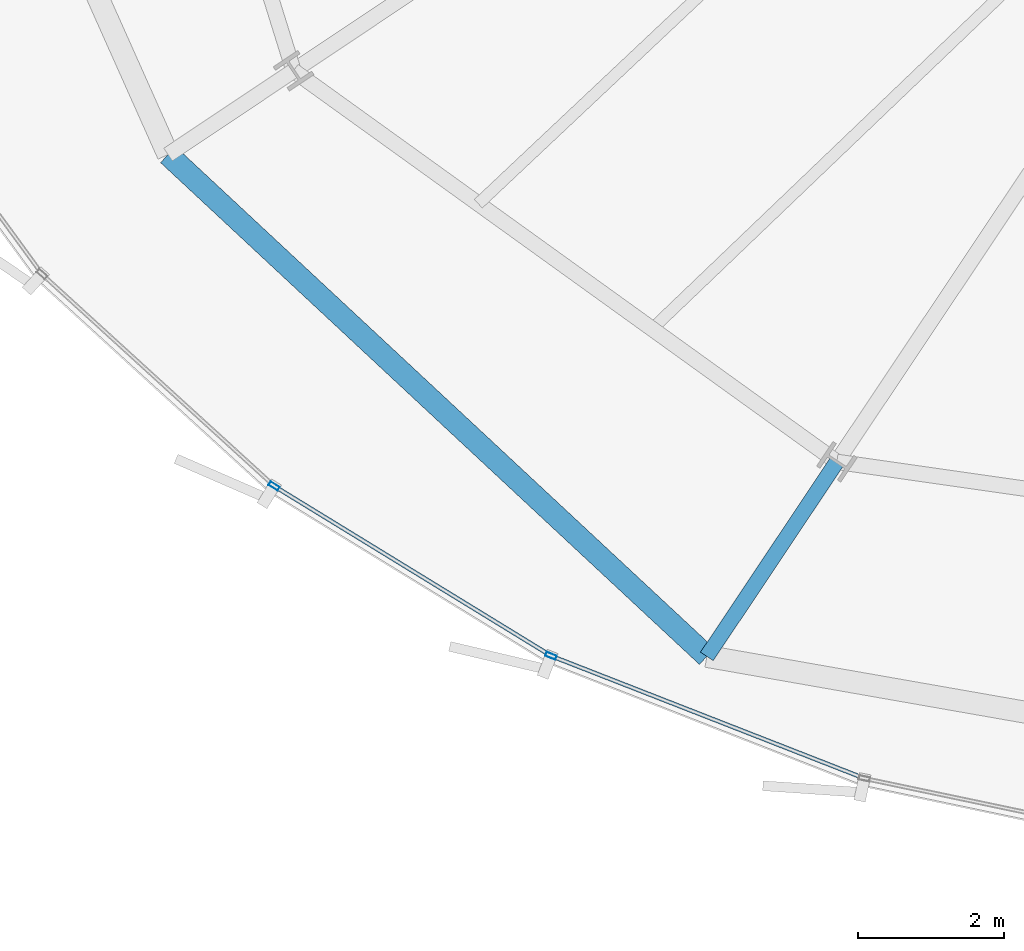
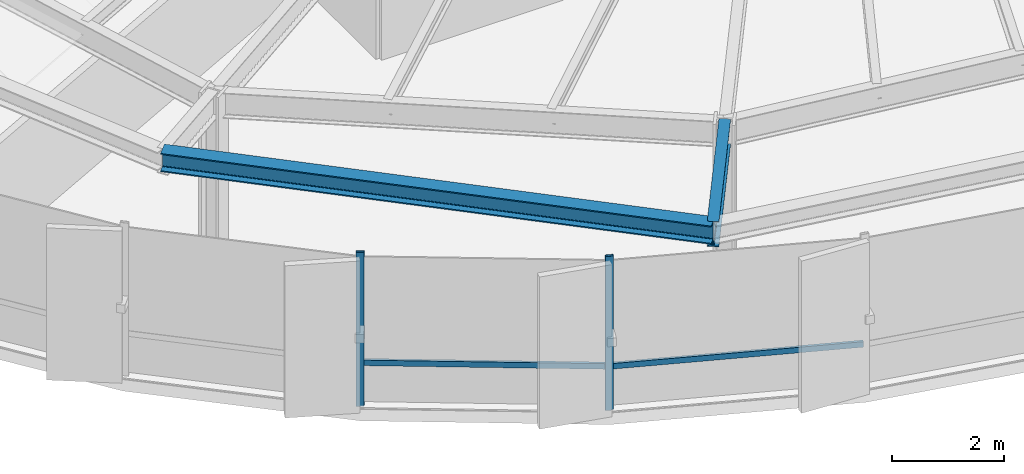
# One storey, part 2 of 35: 4 members, 2 beams, 1 element without a shape of its own.
"""IFC4 building model written with IfcOpenShell, lengths in metres."""

from ifc_helpers import new_model, si_unit, direction, frame, origin, origin_2d, place, context, subcontext, project, spatial, hollow_rectangle, i_section, extrude, source, transform, mapped, material, layer, layer_set, material_profile, profile_set, type_object, element, aggregate, save


model = new_model("IFC4")

# Units and contexts
model_context = context("Model", 3, precision=1e-05, world=origin(), true_north=direction((0.0, 1.0)))
body_context = subcontext(model_context, "Body", "Model", "MODEL_VIEW")
ifc_project = project(units=[si_unit("LENGTHUNIT", "METRE"), si_unit("AREAUNIT", "SQUARE_METRE"), si_unit("VOLUMEUNIT", "CUBIC_METRE"), si_unit("PLANEANGLEUNIT", "RADIAN"), si_unit("MASSUNIT", "GRAM", prefix="KILO"), si_unit("THERMODYNAMICTEMPERATUREUNIT", "KELVIN")], contexts=[model_context])

# Site, building, storey
site_placement = place(None, origin())
site = spatial("IfcSite", under=ifc_project, at=site_placement, CompositionType="ELEMENT")
building_placement = place(site_placement, origin())
building = spatial("IfcBuilding", under=site, at=building_placement, Name="Kethvar Cultural Tower", CompositionType="ELEMENT")
storey_placement = place(building_placement, frame((0.0, 0.0, 107.199951171875)))
storey = spatial("IfcBuildingStorey", under=building, at=storey_placement, Name="L26", CompositionType="ELEMENT", Elevation=107.199951171875)

# Beams
ifc_material_1 = material(Name="Steel S355J2", Category="steel")
ifc_material_profile_1 = material_profile(ifc_material_1, i_section(OverallWidth=0.2099609375, OverallDepth=0.550048828125, WebThickness=0.010986328125, FlangeThickness=0.01708984375, FilletRadius=0.02392578125, at=origin_2d()), Name="Steel S355J2 — IPE550")
ifc_profile_set_1 = profile_set([ifc_material_profile_1], Name="Steel S355J2 — IPE550")
beam_type_1 = type_object("IfcBeamType", Name="BM-IPE550", PredefinedType="BEAM", material=ifc_profile_set_1)
shared_shape_1 = source(origin(), body_context, "Body", "SweptSolid", [
    extrude(i_section(OverallWidth=0.2099609375, OverallDepth=0.550048828125, WebThickness=0.010986328125, FlangeThickness=0.01708984375, FilletRadius=0.02392578125, at=origin_2d()), origin(), (0.0, 0.0, 1.0), 3.199951171875),
])
beam_1_placement = place(storey_placement, frame((34.350830078125, 9.16845703125, 3.072998046875), z_axis=(-0.555580212716, -0.831462943996, 0.0), x_axis=(0.831462943996, -0.555580212716, 0.0)))
element("IfcBeam", 1, at=beam_1_placement, inside=storey, type_object=beam_type_1, Name="L26 Perimeter Cantilever Beam RC-11", PredefinedType="BEAM", context=body_context, shape_type="MappedRepresentation", body=[
    mapped(shared_shape_1, transform((0.0, 0.0, 0.0), scale=1.0)),
])
ifc_material_profile_2 = material_profile(ifc_material_1, i_section(OverallWidth=0.300048828125, OverallDepth=0.39990234375, WebThickness=0.013427734375, FlangeThickness=0.02392578125, FilletRadius=0.027099609375, at=origin_2d()), Name="Steel S355J2 — HEB400")
ifc_profile_set_2 = profile_set([ifc_material_profile_2], Name="Steel S355J2 — HEB400")
beam_type_2 = type_object("IfcBeamType", Name="BM-SP400", PredefinedType="SPANDREL", material=ifc_profile_set_2)
shared_shape_2 = source(origin(), body_context, "Body", "SweptSolid", [
    extrude(i_section(OverallWidth=0.300048828125, OverallDepth=0.39990234375, WebThickness=0.013427734375, FlangeThickness=0.02392578125, FilletRadius=0.027099609375, at=origin_2d()), origin(), (0.0, 0.0, 1.0), 10.069580078125),
])
beam_2_placement = place(storey_placement, frame((25.203857421875, 13.3701171875, 3.14794921875), z_axis=(0.731825589225, -0.681491971307, 0.0), x_axis=(0.681491971307, 0.731825589225, 0.0)))
element("IfcBeam", 2, at=beam_2_placement, inside=storey, type_object=beam_type_2, Name="L26 Perimeter Spandrel Beam SP-10", PredefinedType="SPANDREL", context=body_context, shape_type="MappedRepresentation", body=[
    mapped(shared_shape_2, transform((0.0, 0.0, 0.0), scale=1.0)),
])

# Curtain wall, members
ifc_material_2 = material(Name="Aluminium 6063-T6", Category="aluminium")
ifc_layer = layer(ifc_material_2, 0.179931640625, Name="Aluminium 6063-T6", Category="aluminium")
ifc_layer_set = layer_set([ifc_layer], Name="Aluminium 6063-T6 (180 mm)")
curtain_wall_type = type_object("IfcCurtainWallType", Name="CW-SYS-03-Z2", PredefinedType="NOTDEFINED", material=ifc_layer_set)
curtain_wall_placement = place(storey_placement, origin())
curtain_wall = element("IfcCurtainWall", 3, at=curtain_wall_placement, inside=storey, type_object=curtain_wall_type, Name="L26 Curtain Wall Run 04", PredefinedType="NOTDEFINED")
ifc_material_profile_3 = material_profile(ifc_material_2, hollow_rectangle(XDim=0.06005859375, YDim=0.14990234375, WallThickness=0.0048828125, at=origin_2d()), Name="Aluminium 6063-T6 — RHS150x60x5")
ifc_profile_set_3 = profile_set([ifc_material_profile_3], Name="Aluminium 6063-T6 — RHS150x60x5")
member_type_1 = type_object("IfcMemberType", Name="CW-SYS-03-Z2-MUL", PredefinedType="MULLION", material=ifc_profile_set_3)
shared_shape_3 = source(origin(), body_context, "Body", "SweptSolid", [
    extrude(hollow_rectangle(XDim=0.06005859375, YDim=0.14990234375, WallThickness=0.0048828125, at=origin_2d()), origin(), (0.0, 0.0, 1.0), 3.35009765625),
])
member_1_placement = place(storey_placement, frame((26.6533203125, 8.83740234375, 0.0), z_axis=(0.0, 0.0, 1.0), x_axis=(0.522468801641, 0.852658402475, 0.0)))
member_1 = element("IfcMember", 4, at=member_1_placement, type_object=member_type_1, Name="CW-L26-R04 Mullion 4", PredefinedType="MULLION", context=body_context, shape_type="MappedRepresentation", body=[
    mapped(shared_shape_3, transform((0.0, 0.0, 0.0), scale=1.0)),
])
member_2_placement = place(storey_placement, frame((30.440673828125, 6.5146484375, 0.0), z_axis=(0.0, 0.0, 1.0), x_axis=(0.36396661079, 0.931411995966, 0.0)))
member_2 = element("IfcMember", 5, at=member_2_placement, type_object=member_type_1, Name="CW-L26-R04 Mullion 5", PredefinedType="MULLION", context=body_context, shape_type="MappedRepresentation", body=[
    mapped(shared_shape_3, transform((0.0, 0.0, 0.0), scale=1.0)),
])
ifc_material_profile_4 = material_profile(ifc_material_2, hollow_rectangle(XDim=0.054931640625, YDim=0.1201171875, WallThickness=0.00390625, at=origin_2d()), Name="Aluminium 6063-T6 — RHS120x55x4")
ifc_profile_set_4 = profile_set([ifc_material_profile_4], Name="Aluminium 6063-T6 — RHS120x55x4")
member_type_2 = type_object("IfcMemberType", Name="CW-SYS-03-Z2-TRN", PredefinedType="USERDEFINED", material=ifc_profile_set_4)
shared_shape_4 = source(origin(), body_context, "Body", "SweptSolid", [
    extrude(hollow_rectangle(XDim=0.054931640625, YDim=0.1201171875, WallThickness=0.00390625, at=origin_2d()), origin(), (0.0, 0.0, 1.0), 4.534423828125),
])
member_3_placement = place(storey_placement, frame((30.480712890625, 6.4990234375, 0.949951171875), z_axis=(0.931410297071, -0.363970958333, 0.0), x_axis=(0.363970958333, 0.931410297071, 0.0)))
member_3 = element("IfcMember", 6, at=member_3_placement, type_object=member_type_2, Name="CW-L26-R04 Transom 5", ObjectType="TRANSOM", PredefinedType="USERDEFINED", context=body_context, shape_type="MappedRepresentation", body=[
    mapped(shared_shape_4, transform((0.0, 0.0, 0.0), scale=1.0)),
])
shared_shape_5 = source(origin(), body_context, "Body", "SweptSolid", [
    extrude(hollow_rectangle(XDim=0.054931640625, YDim=0.1201171875, WallThickness=0.00390625, at=origin_2d()), origin(), (0.0, 0.0, 1.0), 4.37646484375),
])
member_4_placement = place(storey_placement, frame((26.690185546875, 8.81494140625, 0.949951171875), z_axis=(0.852656567349, -0.522471796519, 0.0), x_axis=(0.522471796519, 0.852656567349, 0.0)))
member_4 = element("IfcMember", 7, at=member_4_placement, type_object=member_type_2, Name="CW-L26-R04 Transom 4", ObjectType="TRANSOM", PredefinedType="USERDEFINED", context=body_context, shape_type="MappedRepresentation", body=[
    mapped(shared_shape_5, transform((0.0, 0.0, 0.0), scale=1.0)),
])
aggregate(curtain_wall, [member_1, member_2, member_4, member_3])

save(model, "model.ifc")
